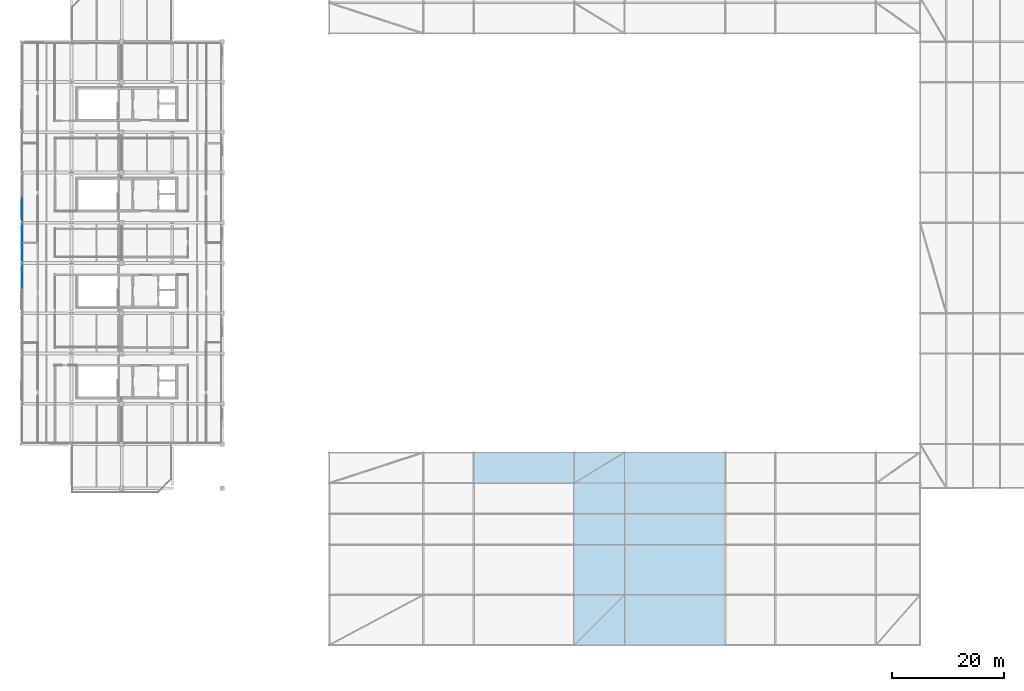
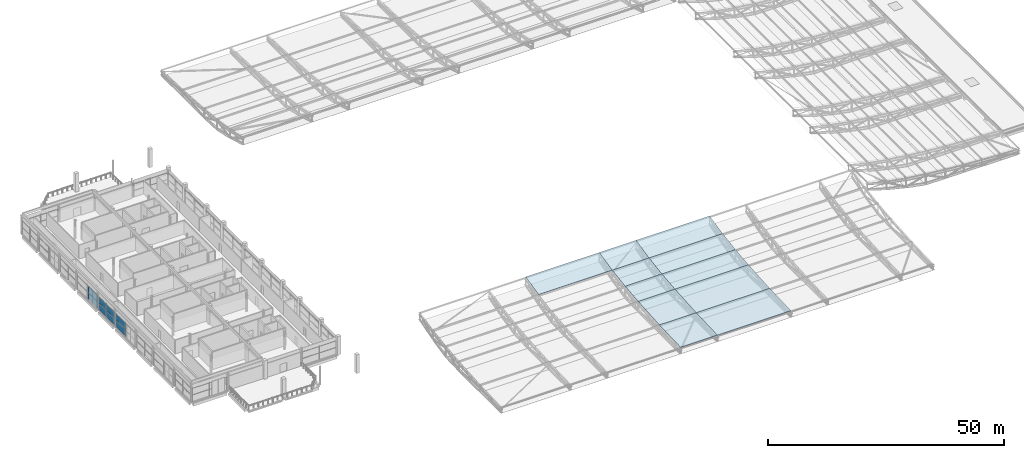
# One storey, part 87 of 114: 11 slabs, 8 plates, 3 elements without a shape of their own.
"""IFC4 building model written with IfcOpenShell, lengths in metres."""

from ifc_helpers import new_model, si_unit, direction, frame, origin, origin_2d, place, context, subcontext, project, spatial, polyline, rectangle, outline, extrude, material, layer, layer_set, type_object, element, aggregate, save


model = new_model("IFC4")

# Units and contexts
model_context = context("Model", 3, precision=1e-05, world=origin(), true_north=direction((0.0, 1.0)))
body_context = subcontext(model_context, "Body", "Model", "MODEL_VIEW")
ifc_project = project(units=[si_unit("LENGTHUNIT", "METRE"), si_unit("AREAUNIT", "SQUARE_METRE"), si_unit("VOLUMEUNIT", "CUBIC_METRE"), si_unit("PLANEANGLEUNIT", "RADIAN"), si_unit("MASSUNIT", "GRAM", prefix="KILO"), si_unit("THERMODYNAMICTEMPERATUREUNIT", "KELVIN"), si_unit("POWERUNIT", "WATT")], contexts=[model_context])

# Site, building, storey
site_placement = place(None, origin())
site = spatial("IfcSite", under=ifc_project, at=site_placement, CompositionType="ELEMENT")
building_placement = place(site_placement, origin())
building = spatial("IfcBuilding", under=site, at=building_placement, Name="Sindhuravela Promenade Stadium", CompositionType="ELEMENT")
storey_placement = place(building_placement, frame((0.0, 0.0, 24.0)))
storey = spatial("IfcBuildingStorey", under=building, at=storey_placement, Name="L05", CompositionType="ELEMENT", Elevation=24.0)

# Curtain wall, plates
ifc_material_1 = material(Name="Anodised architectural aluminium 6063-T6", Category="aluminium")
curtain_wall_type_1 = type_object("IfcCurtainWallType", Name="CW-MOD-5", PredefinedType="NOTDEFINED", material=ifc_material_1)
curtain_wall_1_placement = place(storey_placement, origin())
curtain_wall_1 = element("IfcCurtainWall", 1, at=curtain_wall_1_placement, inside=storey, type_object=curtain_wall_type_1, Name="Bronze curtain wall CW-WEST-L05-068", PredefinedType="NOTDEFINED")
ifc_material_2 = material(Name="Tempered laminated low-E glass", Category="glass")
ifc_layer_1 = layer(ifc_material_2, 0.028076171875)
ifc_layer_set_1 = layer_set([ifc_layer_1], Name="Tempered laminated low-E glass")
plate_type_1 = type_object("IfcPlateType", Name="CW-PNL-01", PredefinedType="CURTAIN_PANEL", material=ifc_layer_set_1)
plate_1_placement = place(storey_placement, frame((0.199951171875, 75.0234375, 0.01513671875), z_axis=(0.0, 0.0, 1.0), x_axis=(0.0, 1.0, 0.0)))
plate_1 = element("IfcPlate", 2, at=plate_1_placement, type_object=plate_type_1, Name="Glazed curtain panel CW-WEST-L05-068-P2.1", PredefinedType="CURTAIN_PANEL", context=body_context, shape_type="SweptSolid", body=[
    extrude(rectangle(XDim=4.18701171875, YDim=0.028076171875, at=origin_2d()), origin(), (0.0, 0.0, 1.0), 1.760009765625),
])
plate_2_placement = place(storey_placement, frame((0.199951171875, 75.0234375, 1.80517578125), z_axis=(0.0, 0.0, 1.0), x_axis=(0.0, 1.0, 0.0)))
plate_2 = element("IfcPlate", 3, at=plate_2_placement, type_object=plate_type_1, Name="Glazed curtain panel CW-WEST-L05-068-P2.2", PredefinedType="CURTAIN_PANEL", context=body_context, shape_type="SweptSolid", body=[
    extrude(rectangle(XDim=4.18701171875, YDim=0.028076171875, at=origin_2d()), origin(), (0.0, 0.0, 1.0), 1.679931640625),
])
aggregate(curtain_wall_1, [plate_1, plate_2])

curtain_wall_type_2 = type_object("IfcCurtainWallType", Name="CW-MOD-7", PredefinedType="NOTDEFINED", material=ifc_material_1)
curtain_wall_2_placement = place(storey_placement, origin())
curtain_wall_2 = element("IfcCurtainWall", 4, at=curtain_wall_2_placement, inside=storey, type_object=curtain_wall_type_2, Name="Bronze curtain wall CW-WEST-L05-070", PredefinedType="NOTDEFINED")
plate_3_placement = place(storey_placement, frame((0.199951171875, 86.9765625, 0.01513671875), z_axis=(0.0, 0.0, 1.0), x_axis=(0.0, 1.0, 0.0)))
plate_3 = element("IfcPlate", 5, at=plate_3_placement, type_object=plate_type_1, Name="Glazed curtain panel CW-WEST-L05-070-P1.1", PredefinedType="CURTAIN_PANEL", context=body_context, shape_type="SweptSolid", body=[
    extrude(rectangle(XDim=4.18701171875, YDim=0.028076171875, at=origin_2d()), origin(), (0.0, 0.0, 1.0), 1.760009765625),
])
plate_4_placement = place(storey_placement, frame((0.199951171875, 86.9765625, 1.80517578125), z_axis=(0.0, 0.0, 1.0), x_axis=(0.0, 1.0, 0.0)))
plate_4 = element("IfcPlate", 6, at=plate_4_placement, type_object=plate_type_1, Name="Glazed curtain panel CW-WEST-L05-070-P1.2", PredefinedType="CURTAIN_PANEL", context=body_context, shape_type="SweptSolid", body=[
    extrude(rectangle(XDim=4.18701171875, YDim=0.028076171875, at=origin_2d()), origin(), (0.0, 0.0, 1.0), 1.679931640625),
])
aggregate(curtain_wall_2, [plate_3, plate_4])

curtain_wall_type_3 = type_object("IfcCurtainWallType", Name="CW-MOD-6", PredefinedType="NOTDEFINED", material=ifc_material_1)
curtain_wall_3_placement = place(storey_placement, origin())
curtain_wall_3 = element("IfcCurtainWall", 7, at=curtain_wall_3_placement, inside=storey, type_object=curtain_wall_type_3, Name="Bronze curtain wall CW-WEST-L05-069", PredefinedType="NOTDEFINED")
ifc_layer_2 = layer(ifc_material_2, 0.0400390625)
ifc_layer_set_2 = layer_set([ifc_layer_2], Name="Tempered laminated low-E glass")
plate_type_2 = type_object("IfcPlateType", Name="CW-PNL-02", PredefinedType="CURTAIN_PANEL", material=ifc_layer_set_2)
plate_5_placement = place(storey_placement, frame((0.199951171875, 79.32666015625, 0.01513671875), z_axis=(0.0, 0.0, 1.0), x_axis=(0.0, 1.0, 0.0)))
plate_5 = element("IfcPlate", 8, at=plate_5_placement, type_object=plate_type_2, Name="Glazed curtain panel CW-WEST-L05-069-P1.1", PredefinedType="CURTAIN_PANEL", context=body_context, shape_type="SweptSolid", body=[
    extrude(rectangle(XDim=3.287109375, YDim=0.0400390625, at=origin_2d()), origin(), (0.0, 0.0, 1.0), 1.760009765625),
])
plate_6_placement = place(storey_placement, frame((0.199951171875, 79.32666015625, 1.80517578125), z_axis=(0.0, 0.0, 1.0), x_axis=(0.0, 1.0, 0.0)))
plate_6 = element("IfcPlate", 9, at=plate_6_placement, type_object=plate_type_2, Name="Glazed curtain panel CW-WEST-L05-069-P1.2", PredefinedType="CURTAIN_PANEL", context=body_context, shape_type="SweptSolid", body=[
    extrude(rectangle(XDim=3.287109375, YDim=0.0400390625, at=origin_2d()), origin(), (0.0, 0.0, 1.0), 1.679931640625),
])
plate_7_placement = place(storey_placement, frame((0.199951171875, 82.67333984375, 0.01513671875), z_axis=(0.0, 0.0, 1.0), x_axis=(0.0, 1.0, 0.0)))
plate_7 = element("IfcPlate", 10, at=plate_7_placement, type_object=plate_type_2, Name="Glazed curtain panel CW-WEST-L05-069-P2.1", PredefinedType="CURTAIN_PANEL", context=body_context, shape_type="SweptSolid", body=[
    extrude(rectangle(XDim=3.287109375, YDim=0.0400390625, at=origin_2d()), origin(), (0.0, 0.0, 1.0), 1.760009765625),
])
plate_8_placement = place(storey_placement, frame((0.199951171875, 82.67333984375, 1.80517578125), z_axis=(0.0, 0.0, 1.0), x_axis=(0.0, 1.0, 0.0)))
plate_8 = element("IfcPlate", 11, at=plate_8_placement, type_object=plate_type_2, Name="Glazed curtain panel CW-WEST-L05-069-P2.2", PredefinedType="CURTAIN_PANEL", context=body_context, shape_type="SweptSolid", body=[
    extrude(rectangle(XDim=3.287109375, YDim=0.0400390625, at=origin_2d()), origin(), (0.0, 0.0, 1.0), 1.679931640625),
])
aggregate(curtain_wall_3, [plate_5, plate_6, plate_7, plate_8])

# Slabs
ifc_material_3 = material(Name="Concrete M40", Category="concrete")
ifc_layer_3 = layer(ifc_material_3, 0.1298828125)
ifc_layer_set_3 = layer_set([ifc_layer_3], Name="Concrete M40")
slab_type = type_object("IfcSlabType", Name="SL-CAN-130", PredefinedType="ROOF", material=ifc_layer_set_3)
slab_1_placement = place(storey_placement, frame((81.0, 38.0, 3.834228515625), z_axis=(0.0, -0.21836583135951027, 0.9758669805330386), x_axis=(1.0, 0.0, 0.0)))
element("IfcSlab", 12, at=slab_1_placement, inside=storey, type_object=slab_type, Name="Stand canopy roof slab S bay 3.5", PredefinedType="ROOF", context=body_context, shape_type="SweptSolid", body=[
    extrude(outline(polyline([(0.0, 0.0), (18.0, 0.0), (18.0, 5.636014036457906), (0.0, 5.636014036457906), (0.0, 0.0)])), origin(), (0.0, 0.0, -1.0), 0.1298828125),
])
slab_2_placement = place(storey_placement, frame((99.0, 9.0, 1.465087890625), z_axis=(0.0, -0.03629876236799083, 0.9993409827734235), x_axis=(1.0, 0.0, 0.0)))
element("IfcSlab", 13, at=slab_2_placement, inside=storey, type_object=slab_type, Name="Stand canopy roof slab S bay 4.1", PredefinedType="ROOF", context=body_context, shape_type="SweptSolid", body=[
    extrude(outline(polyline([(0.0, 0.0), (9.0, 0.0), (9.0, 9.005935066350151), (0.0, 9.005935066350151), (0.0, 0.0)])), origin(), (0.0, 0.0, -1.0), 0.1298828125),
])
slab_3_placement = place(storey_placement, frame((99.0, 18.0, 1.7919921875), z_axis=(0.0, -0.07051629490820784, 0.9975106275887082), x_axis=(1.0, 0.0, 0.0)))
element("IfcSlab", 14, at=slab_3_placement, inside=storey, type_object=slab_type, Name="Stand canopy roof slab S bay 4.2", PredefinedType="ROOF", context=body_context, shape_type="SweptSolid", body=[
    extrude(outline(polyline([(0.0, 0.0), (9.0, 0.0), (9.0, 9.022460263662337), (0.0, 9.022460263662337), (0.0, 0.0)])), origin(), (0.0, 0.0, -1.0), 0.1298828125),
])
slab_4_placement = place(storey_placement, frame((99.0, 27.0, 2.42822265625), z_axis=(0.0, -0.1065455909441987, 0.9943078180575428), x_axis=(1.0, 0.0, 0.0)))
element("IfcSlab", 15, at=slab_4_placement, inside=storey, type_object=slab_type, Name="Stand canopy roof slab S bay 4.3", PredefinedType="ROOF", context=body_context, shape_type="SweptSolid", body=[
    extrude(outline(polyline([(0.0, 0.0), (9.0, 0.0), (9.0, 5.531486226010649), (0.0, 5.531486226010649), (0.0, 0.0)])), origin(), (0.0, 0.0, -1.0), 0.1298828125),
])
slab_5_placement = place(storey_placement, frame((99.0, 32.5, 3.017578125), z_axis=(0.0, -0.14687168523012892, 0.9891555530237203), x_axis=(1.0, 0.0, 0.0)))
element("IfcSlab", 16, at=slab_5_placement, inside=storey, type_object=slab_type, Name="Stand canopy roof slab S bay 4.4", PredefinedType="ROOF", context=body_context, shape_type="SweptSolid", body=[
    extrude(outline(polyline([(0.0, 0.0), (9.0, 0.0), (9.0, 5.560298360745398), (0.0, 5.560298360745398), (0.0, 0.0)])), origin(), (0.0, 0.0, -1.0), 0.1298828125),
])
slab_6_placement = place(storey_placement, frame((99.0, 38.0, 3.834228515625), z_axis=(0.0, -0.21836583135951027, 0.9758669805330386), x_axis=(1.0, 0.0, 0.0)))
element("IfcSlab", 17, at=slab_6_placement, inside=storey, type_object=slab_type, Name="Stand canopy roof slab S bay 4.5", PredefinedType="ROOF", context=body_context, shape_type="SweptSolid", body=[
    extrude(outline(polyline([(0.0, 0.0), (9.0, 0.0), (9.0, 5.636014036457906), (0.0, 5.636014036457906), (0.0, 0.0)])), origin(), (0.0, 0.0, -1.0), 0.1298828125),
])
slab_7_placement = place(storey_placement, frame((108.0, 9.0, 1.465087890625), z_axis=(0.0, -0.03629876236799083, 0.9993409827734235), x_axis=(1.0, 0.0, 0.0)))
element("IfcSlab", 18, at=slab_7_placement, inside=storey, type_object=slab_type, Name="Stand canopy roof slab S bay 5.1", PredefinedType="ROOF", context=body_context, shape_type="SweptSolid", body=[
    extrude(outline(polyline([(0.0, 0.0), (18.0, 0.0), (18.0, 9.005935066350151), (0.0, 9.005935066350151), (0.0, 0.0)])), origin(), (0.0, 0.0, -1.0), 0.1298828125),
])
slab_8_placement = place(storey_placement, frame((108.0, 18.0, 1.7919921875), z_axis=(0.0, -0.07051629490820784, 0.9975106275887082), x_axis=(1.0, 0.0, 0.0)))
element("IfcSlab", 19, at=slab_8_placement, inside=storey, type_object=slab_type, Name="Stand canopy roof slab S bay 5.2", PredefinedType="ROOF", context=body_context, shape_type="SweptSolid", body=[
    extrude(outline(polyline([(0.0, 0.0), (18.0, 0.0), (18.0, 9.022460263662337), (0.0, 9.022460263662337), (0.0, 0.0)])), origin(), (0.0, 0.0, -1.0), 0.1298828125),
])
slab_9_placement = place(storey_placement, frame((108.0, 27.0, 2.42822265625), z_axis=(0.0, -0.1065455909441987, 0.9943078180575428), x_axis=(1.0, 0.0, 0.0)))
element("IfcSlab", 20, at=slab_9_placement, inside=storey, type_object=slab_type, Name="Stand canopy roof slab S bay 5.3", PredefinedType="ROOF", context=body_context, shape_type="SweptSolid", body=[
    extrude(outline(polyline([(0.0, 0.0), (18.0, 0.0), (18.0, 5.531486226010649), (0.0, 5.531486226010649), (0.0, 0.0)])), origin(), (0.0, 0.0, -1.0), 0.1298828125),
])
slab_10_placement = place(storey_placement, frame((108.0, 32.5, 3.017578125), z_axis=(0.0, -0.14687168523012892, 0.9891555530237203), x_axis=(1.0, 0.0, 0.0)))
element("IfcSlab", 21, at=slab_10_placement, inside=storey, type_object=slab_type, Name="Stand canopy roof slab S bay 5.4", PredefinedType="ROOF", context=body_context, shape_type="SweptSolid", body=[
    extrude(outline(polyline([(0.0, 0.0), (18.0, 0.0), (18.0, 5.560298360745398), (0.0, 5.560298360745398), (0.0, 0.0)])), origin(), (0.0, 0.0, -1.0), 0.1298828125),
])
slab_11_placement = place(storey_placement, frame((108.0, 38.0, 3.834228515625), z_axis=(0.0, -0.21836583135951027, 0.9758669805330386), x_axis=(1.0, 0.0, 0.0)))
element("IfcSlab", 22, at=slab_11_placement, inside=storey, type_object=slab_type, Name="Stand canopy roof slab S bay 5.5", PredefinedType="ROOF", context=body_context, shape_type="SweptSolid", body=[
    extrude(outline(polyline([(0.0, 0.0), (18.0, 0.0), (18.0, 5.636014036457906), (0.0, 5.636014036457906), (0.0, 0.0)])), origin(), (0.0, 0.0, -1.0), 0.1298828125),
])

save(model, "model.ifc")
